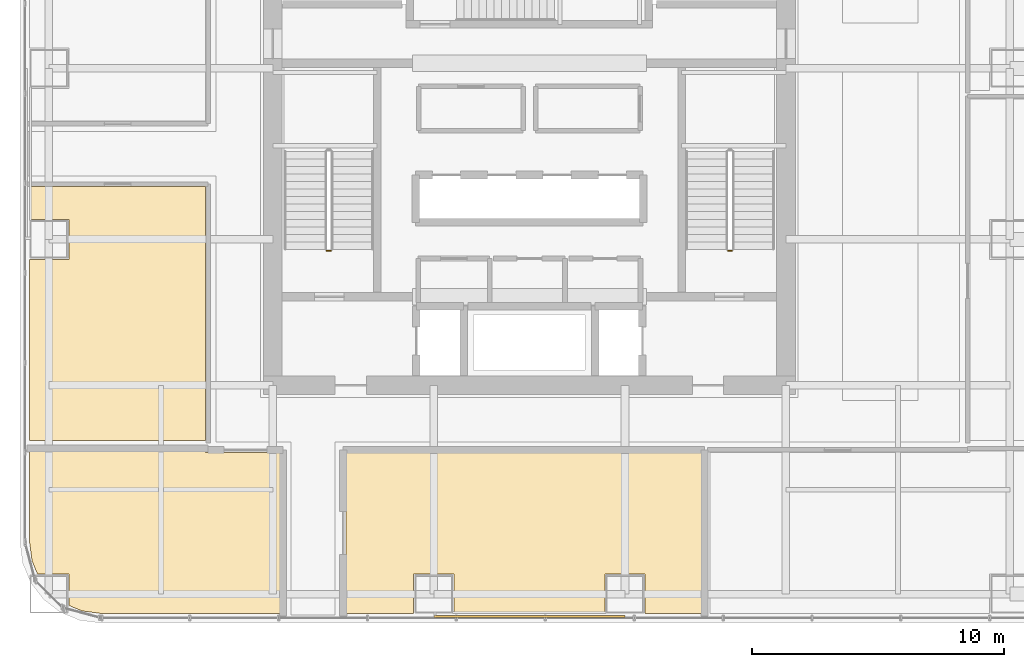
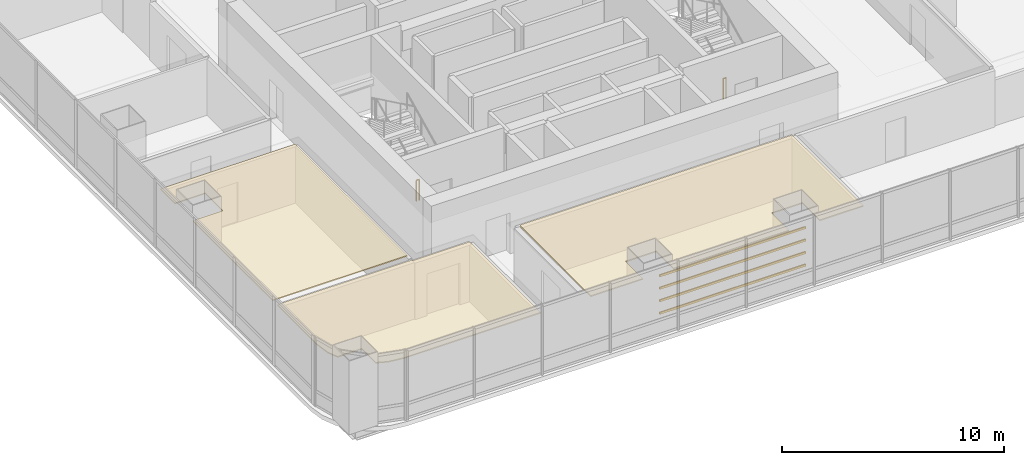
# One storey, part 30 of 34: 4 shading devices, 3 coverings, 2 railings.
"""IFC4 building model written with IfcOpenShell, lengths in metres."""

from ifc_helpers import new_model, si_unit, direction, frame, origin, origin_2d, place, context, subcontext, project, spatial, polyline, hollow_rectangle, circle, outline, extrude, material, layer, layer_set, material_profile, profile_set, type_object, element, save


model = new_model("IFC4")

# Units and contexts
model_context = context("Model", 3, precision=1e-05, world=origin(), true_north=direction((0.0, 1.0)))
body_context = subcontext(model_context, "Body", "Model", "MODEL_VIEW")
ifc_project = project(units=[si_unit("LENGTHUNIT", "METRE"), si_unit("AREAUNIT", "SQUARE_METRE"), si_unit("VOLUMEUNIT", "CUBIC_METRE"), si_unit("PLANEANGLEUNIT", "RADIAN"), si_unit("MASSUNIT", "GRAM", prefix="KILO")], contexts=[model_context])

# Site, building, storey
site_placement = place(None, origin())
site = spatial("IfcSite", under=ifc_project, at=site_placement, CompositionType="ELEMENT")
building_placement = place(site_placement, origin())
building = spatial("IfcBuilding", under=site, at=building_placement, Name="Punatoya Terracotta Tower", CompositionType="ELEMENT")
storey_placement = place(building_placement, frame((0.0, 0.0, 97.050048828125)))
storey = spatial("IfcBuildingStorey", under=building, at=storey_placement, Name="L22", CompositionType="ELEMENT", Elevation=97.050048828125)

# Coverings
ifc_material_1 = material(Name="Acoustic Mineral Fibre Ceiling")
ifc_layer = layer(ifc_material_1, 0.06005859375)
ifc_layer_set = layer_set([ifc_layer], Name="Acoustic Mineral Fibre Ceiling")
covering_type = type_object("IfcCoveringType", Name="COV-CEIL-60", PredefinedType="CEILING", material=ifc_layer_set)
covering_1_placement = place(storey_placement, frame((0.0, 0.0, 3.199951171875)))
element("IfcCovering", 1, at=covering_1_placement, inside=storey, type_object=covering_type, Name="L22 Open-Plan Client Dining Salon Acoustic Ceiling", PredefinedType="CEILING", context=body_context, shape_type="SweptSolid", body=[
    extrude(outline(polyline([(-3.0, -18.27001953125), (3.0, -18.27001953125), (3.0, -16.699951171875), (4.60009765625, -16.699951171875), (4.60009765625, -18.27001953125), (6.8701171875, -18.27001953125), (6.8701171875, -11.8701171875), (-7.300048828125, -11.8701171875), (-7.300048828125, -18.27001953125), (-4.60009765625, -18.27001953125), (-4.60009765625, -16.699951171875), (-3.0, -16.699951171875), (-3.0, -18.27001953125)])), origin(), (0.0, 0.0, 1.0), 0.06005859375),
])
covering_2_placement = place(storey_placement, frame((0.0, 0.0, 3.199951171875)))
element("IfcCovering", 2, at=covering_2_placement, inside=storey, type_object=covering_type, Name="L22 Open-Plan Executive Bistro Lounge Acoustic Ceiling", PredefinedType="CEILING", context=body_context, shape_type="SweptSolid", body=[
    extrude(outline(polyline([(-17.025146484375, -18.27001953125), (-9.89990234375, -18.27001953125), (-9.89990234375, -11.8701171875), (-12.8701171875, -11.8701171875), (-12.8701171875, -11.81005859375), (-19.8701171875, -11.81005859375), (-19.8701171875, -15.425048828125), (-19.770751953125, -16.178955078125), (-19.554931640625, -16.699951171875), (-18.300048828125, -16.699951171875), (-18.300048828125, -17.955078125), (-17.779052734375, -18.1708984375), (-17.025146484375, -18.27001953125)])), origin(), (0.0, 0.0, 1.0), 0.06005859375),
])
covering_3_placement = place(storey_placement, frame((0.0, 0.0, 3.199951171875)))
element("IfcCovering", 3, at=covering_3_placement, inside=storey, type_object=covering_type, Name="L22 Open-Plan Visitor Reception Salon Acoustic Ceiling", PredefinedType="CEILING", context=body_context, shape_type="SweptSolid", body=[
    extrude(outline(polyline([(-12.8701171875, -11.389892578125), (-12.8701171875, -1.300048828125), (-19.8701171875, -1.300048828125), (-19.8701171875, -2.60009765625), (-18.300048828125, -2.60009765625), (-18.300048828125, -4.199951171875), (-19.8701171875, -4.199951171875), (-19.8701171875, -11.389892578125), (-12.8701171875, -11.389892578125)])), origin(), (0.0, 0.0, 1.0), 0.06005859375),
])

# Railings
ifc_material_2 = material(Name="Steel S355", Category="steel")
railing_type = type_object("IfcRailingType", Name="RLG-GRD-1150", PredefinedType="GUARDRAIL", material=ifc_material_2)
for number, where, name in (
    (4, (-7.89990234375, -3.85009765625, 0.0), "L22 ST-1 stair guard 4"),
    (5, (8.050048828125, -3.85009765625, 0.0), "L22 ST-2 stair guard 4"),
):
    element("IfcRailing", number, at=place(storey_placement, frame(where)), inside=storey, type_object=railing_type, Name=name, PredefinedType="GUARDRAIL", context=body_context, shape_type="SweptSolid", body=[
        extrude(circle(Radius=0.02392578125, at=origin_2d()), frame((0.0, 0.0, 1.1259765625), z_axis=(-1.0, 0.0, 0.0), x_axis=(0.0, -1.0, 0.0)), (0.0, 0.0, 1.0), 0.150146484375),
        extrude(circle(Radius=0.02099609375, at=origin_2d()), origin(), (0.0, 0.0, 1.0), 1.101806640625),
        extrude(circle(Radius=0.02099609375, at=origin_2d()), frame((-0.150146484375, 0.0, 0.0)), (0.0, 0.0, 1.0), 1.101806640625),
    ])

# Shading devices
ifc_material_3 = material(Name="Architectural Fired Terracotta", Category="masonry")
ifc_material_profile = material_profile(ifc_material_3, hollow_rectangle(XDim=0.06494140625, YDim=0.1201171875, WallThickness=0.014892578125, at=origin_2d()))
ifc_profile_set = profile_set([ifc_material_profile], Name="Architectural Fired Terracotta")
shading_device_type = type_object("IfcShadingDeviceType", Name="SHD-BAG-120", PredefinedType="USERDEFINED", material=ifc_profile_set)
for number, where, z_axis, x_axis, name in (
    (6, (-3.800048828125, -18.389892578125, 1.14990234375), (1.0, 0.0, 0.0), (0.0, 1.0, 0.0), "L22 Fired Terracotta Baguette Louvre BAG-L22-S-01"),
    (7, (-3.800048828125, -18.389892578125, 1.836669921875), (1.0, 0.0, 0.0), (0.0, 1.0, 0.0), "L22 Fired Terracotta Baguette Louvre BAG-L22-S-02"),
    (8, (-3.800048828125, -18.389892578125, 2.523193359375), (1.0, 0.0, 0.0), (0.0, 1.0, 0.0), "L22 Fired Terracotta Baguette Louvre BAG-L22-S-03"),
    (9, (-3.800048828125, -18.389892578125, 3.2099609375), (1.0, 0.0, 0.0), (0.0, 1.0, 0.0), "L22 Fired Terracotta Baguette Louvre BAG-L22-S-04"),
):
    element("IfcShadingDevice", number, at=place(storey_placement, frame(where, z_axis=z_axis, x_axis=x_axis)), inside=storey, type_object=shading_device_type, Name=name, ObjectType="BAGUETTE", PredefinedType="USERDEFINED", context=body_context, shape_type="SweptSolid", body=[
        extrude(hollow_rectangle(XDim=0.06494140625, YDim=0.1201171875, WallThickness=0.014892578125, at=origin_2d()), origin(), (0.0, 0.0, 1.0), 7.60009765625),
    ])

save(model, "model.ifc")
